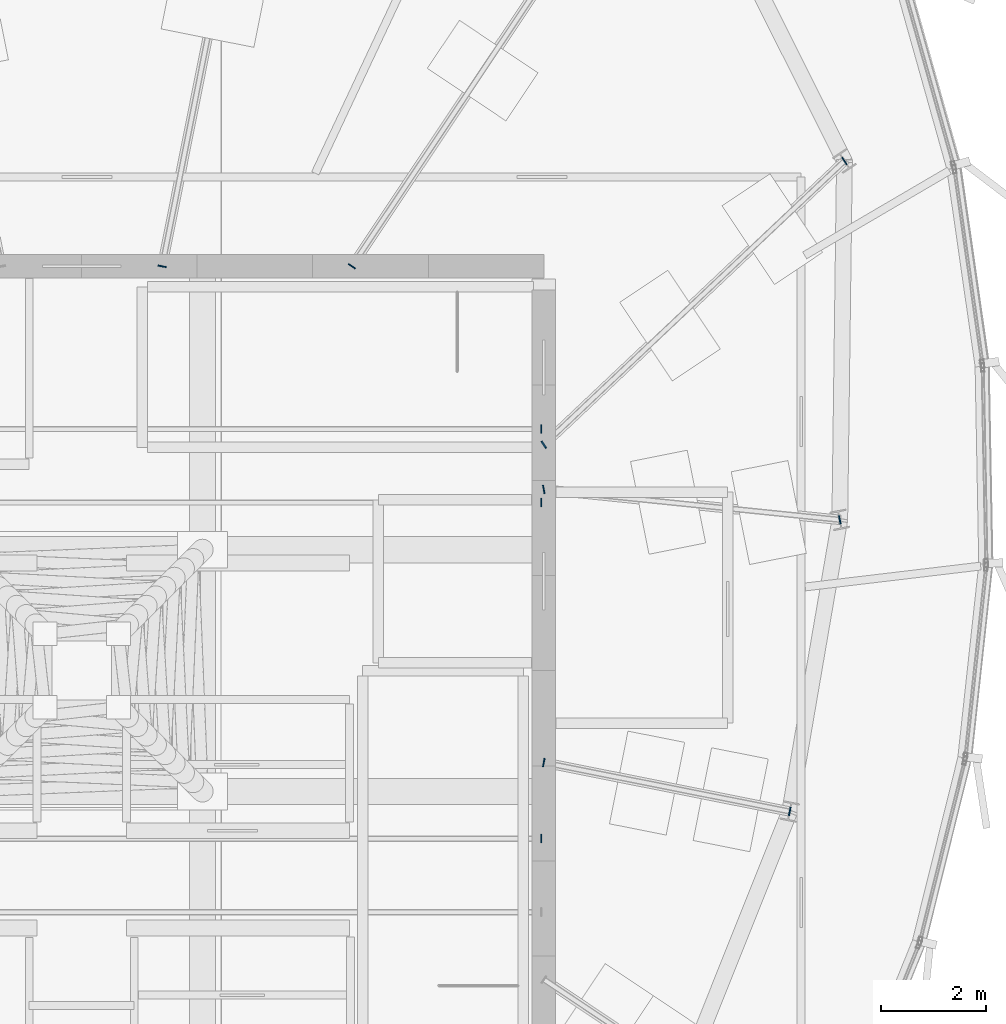
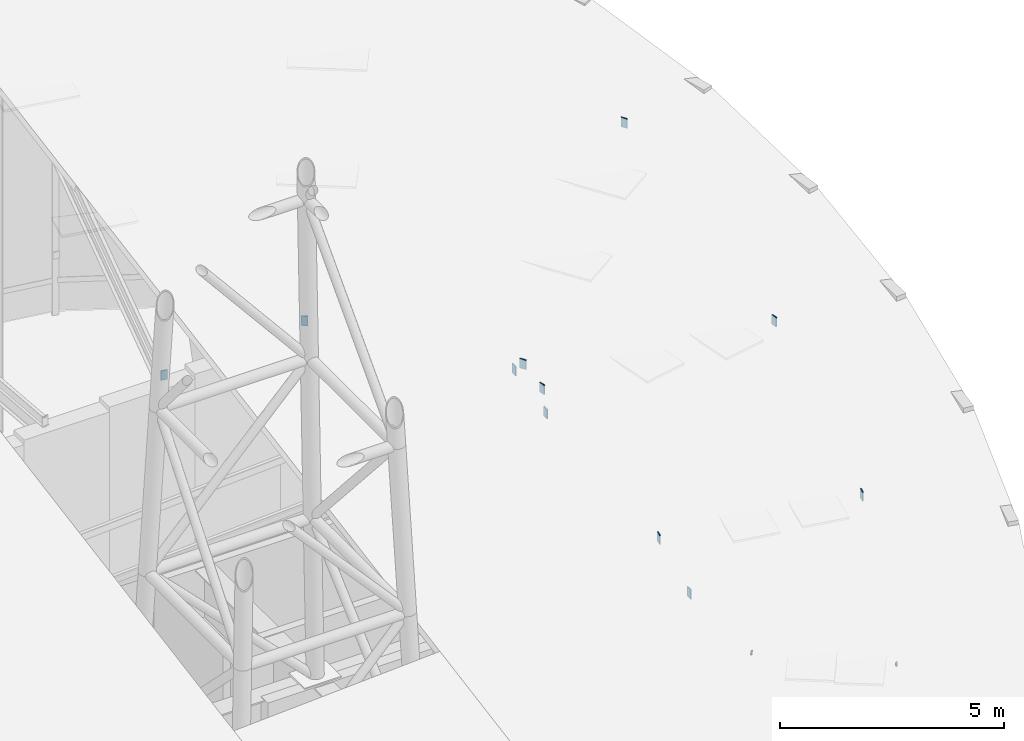
# One storey, part 30 of 36: 11 plates.
"""IFC4 building model written with IfcOpenShell, lengths in metres."""

from ifc_helpers import new_model, si_unit, direction, frame, origin, origin_2d, place, context, subcontext, project, spatial, rectangle, extrude, source, transform, mapped, material, layer, layer_set, type_object, element, save


model = new_model("IFC4")

# Units and contexts
model_context = context("Model", 3, precision=1e-05, world=origin(), true_north=direction((0.0, 1.0)))
body_context = subcontext(model_context, "Body", "Model", "MODEL_VIEW")
ifc_project = project(units=[si_unit("LENGTHUNIT", "METRE"), si_unit("AREAUNIT", "SQUARE_METRE"), si_unit("VOLUMEUNIT", "CUBIC_METRE"), si_unit("PLANEANGLEUNIT", "RADIAN"), si_unit("MASSUNIT", "GRAM", prefix="KILO"), si_unit("THERMODYNAMICTEMPERATUREUNIT", "KELVIN")], contexts=[model_context])

# Site, building, storey
site_placement = place(None, origin())
site = spatial("IfcSite", under=ifc_project, at=site_placement, CompositionType="ELEMENT")
building_placement = place(site_placement, origin())
building = spatial("IfcBuilding", under=site, at=building_placement, Name="Kethvar Cultural Tower", CompositionType="ELEMENT")
storey_placement = place(building_placement, frame((0.0, 0.0, 324.300048828125)))
storey = spatial("IfcBuildingStorey", under=building, at=storey_placement, Name="L86", CompositionType="ELEMENT", Elevation=324.300048828125)

# Plates
ifc_material = material(Name="Steel S355J2", Category="steel")
ifc_layer_1 = layer(ifc_material, 0.02490234375, Name="Steel S355J2", Category="steel")
ifc_layer_set_1 = layer_set([ifc_layer_1], Name="Steel S355J2 (25 mm)")
plate_type_1 = type_object("IfcPlateType", Name="PL-ENDCAP-PUR", PredefinedType="SHEET", material=ifc_layer_set_1)
shared_shape_1 = source(origin(), body_context, "Body", "SweptSolid", [
    extrude(rectangle(XDim=0.02490234375, YDim=0.159912109375, at=origin_2d()), origin(), (0.0, 0.0, 1.0), 0.260009765625),
])
for number, where, z_axis, x_axis, name in (
    (1, (55.550048828125, 24.60009765625, 7.39697265625), (0.0, 0.0, 1.0), (1.0, 0.0, 0.0), "Crown Purlin End Cap PR-08-E"),
    (2, (55.550048828125, 31.0, 8.421875), (0.0, 0.0, 1.0), (1.0, 0.0, 0.0), "Crown Purlin End Cap PR-09-E"),
    (3, (55.550048828125, 32.39990234375, 8.74072265625), (0.0, 0.0, 1.0), (1.0, 0.0, 0.0), "Crown Purlin End Cap PR-10-E"),
):
    element("IfcPlate", number, at=place(storey_placement, frame(where, z_axis=z_axis, x_axis=x_axis)), inside=storey, type_object=plate_type_1, Name=name, PredefinedType="SHEET", context=body_context, shape_type="MappedRepresentation", body=[
        mapped(shared_shape_1, transform((0.0, 0.0, 0.0), scale=1.0)),
    ])
ifc_layer_2 = layer(ifc_material, 0.02490234375, Name="Steel S355J2", Category="steel")
ifc_layer_set_2 = layer_set([ifc_layer_2], Name="Steel S355J2 (25 mm)")
plate_type_2 = type_object("IfcPlateType", Name="PL-EXTCAP-PUR", PredefinedType="SHEET", material=ifc_layer_set_2)
shared_shape_2 = source(origin(), body_context, "Body", "SweptSolid", [
    extrude(rectangle(XDim=0.02490234375, YDim=0.159912109375, at=origin_2d()), origin(), (0.0, 0.0, 1.0), 0.260009765625),
])
for number, where, z_axis, x_axis, name in (
    (4, (55.60009765625, 31.25, 8.91015625), (0.0, 0.0, 1.0), (0.980785280403, 0.195090322016, 0.0), "Crown Glazing Bar End Cap GB-01-I"),
    (5, (61.237060546875, 30.671630859375, 9.13037109375), (0.0, 0.0, 1.0), (0.980785280403, 0.195090322016, 0.0), "Crown Glazing Bar End Cap GB-01-O"),
    (6, (55.60009765625, 32.10009765625, 9.0595703125), (0.0, 0.0, 1.0), (0.831469612303, 0.55557023302, 0.0), "Crown Glazing Bar End Cap GB-02-I"),
    (7, (61.32568359375, 37.505859375, 10.337890625), (0.0, 0.0, 1.0), (0.831469612303, 0.55557023302, 0.0), "Crown Glazing Bar End Cap GB-02-O"),
    (8, (51.945068359375, 35.5, 9.44873046875), (0.0, 0.0, 1.0), (0.55557023302, 0.831469612303, 0.0), "Crown Glazing Bar End Cap GB-03-I"),
    (9, (48.33154296875, 35.5, 9.2421875), (0.0, 0.0, 1.0), (0.195090322016, 0.980785280403, 0.0), "Crown Glazing Bar End Cap GB-04-I"),
    (10, (55.60009765625, 26.049560546875, 7.9951171875), (0.0, 0.0, 1.0), (0.980785280403, -0.195090322016, 0.0), "Crown Glazing Bar End Cap GB-16-I"),
    (11, (60.28369140625, 25.117919921875, 8.0986328125), (0.0, 0.0, 1.0), (0.980785280403, -0.195090322016, 0.0), "Crown Glazing Bar End Cap GB-16-O"),
):
    element("IfcPlate", number, at=place(storey_placement, frame(where, z_axis=z_axis, x_axis=x_axis)), inside=storey, type_object=plate_type_2, Name=name, PredefinedType="SHEET", context=body_context, shape_type="MappedRepresentation", body=[
        mapped(shared_shape_2, transform((0.0, 0.0, 0.0), scale=1.0)),
    ])

save(model, "model.ifc")
